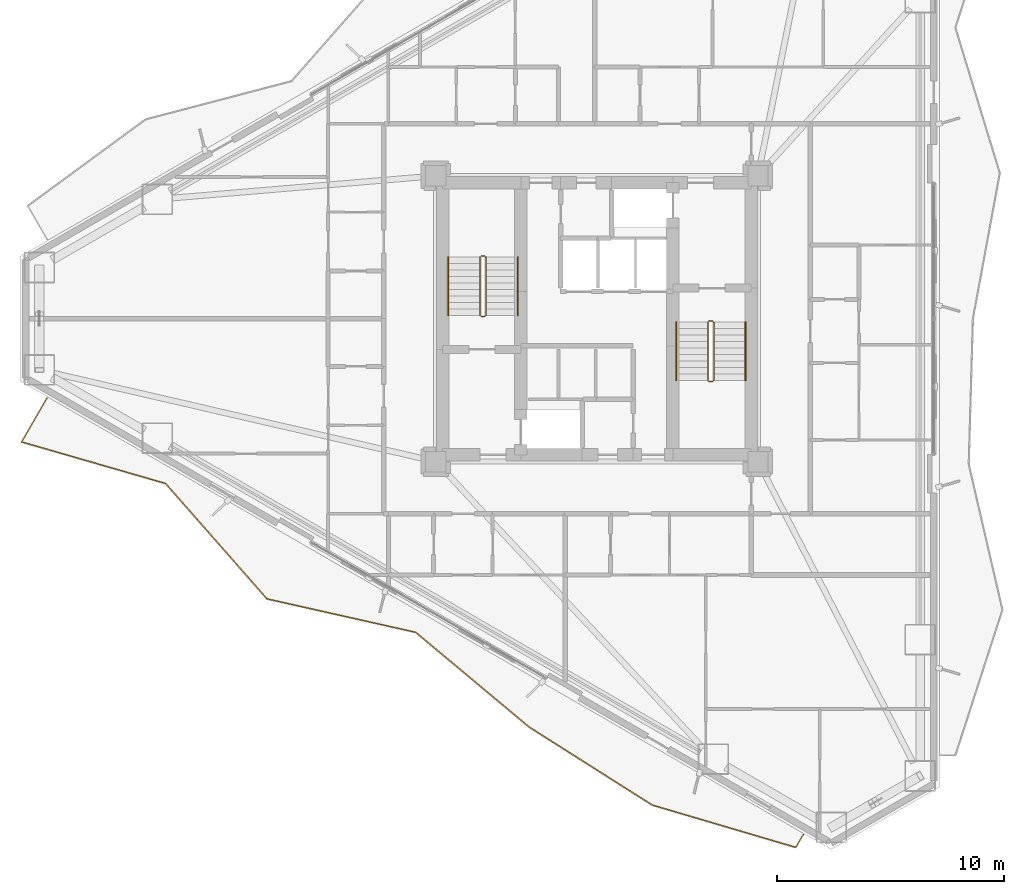
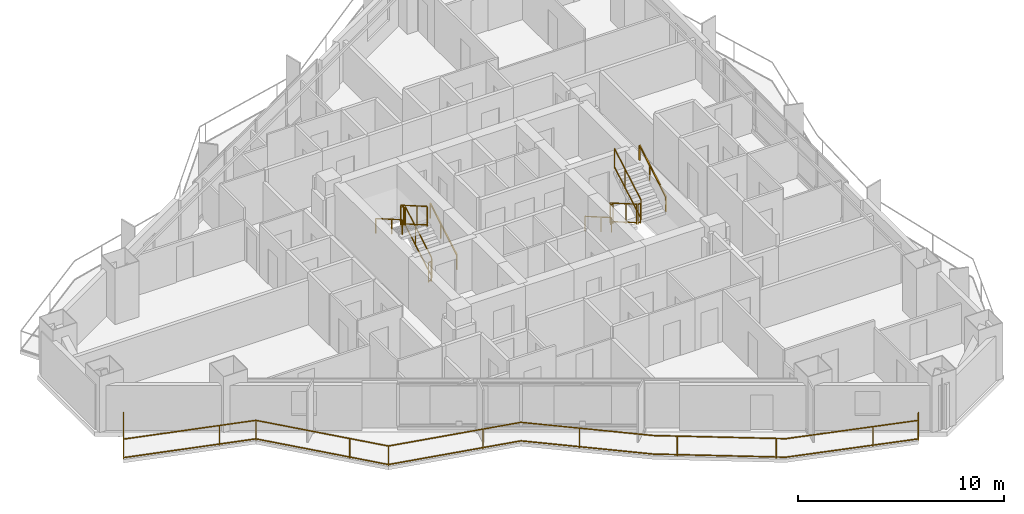
# One storey, part 17 of 18: 13 railings.
"""IFC4 building model written with IfcOpenShell, lengths in metres."""

from ifc_helpers import new_model, si_unit, direction, frame, origin, origin_2d, place, context, subcontext, project, spatial, rectangle, extrude, material, type_object, element, save


model = new_model("IFC4")

# Units and contexts
model_context = context("Model", 3, precision=1e-05, world=origin(), true_north=direction((0.0, 1.0)))
body_context = subcontext(model_context, "Body", "Model", "MODEL_VIEW")
ifc_project = project(units=[si_unit("LENGTHUNIT", "METRE"), si_unit("AREAUNIT", "SQUARE_METRE"), si_unit("VOLUMEUNIT", "CUBIC_METRE"), si_unit("PLANEANGLEUNIT", "RADIAN"), si_unit("MASSUNIT", "GRAM", prefix="KILO")], contexts=[model_context])

# Site, building, storey
site_placement = place(None, origin())
site = spatial("IfcSite", under=ifc_project, at=site_placement, CompositionType="ELEMENT")
building_placement = place(site_placement, origin())
building = spatial("IfcBuilding", under=site, at=building_placement, Name="Mersakhor Tower and Convention Hall", CompositionType="ELEMENT")
storey_placement = place(building_placement, frame((0.0, 0.0, 32.39990234375)))
storey = spatial("IfcBuildingStorey", under=building, at=storey_placement, Name="L08", CompositionType="ELEMENT", Elevation=32.39990234375)

# Railings
ifc_material_1 = material(Name="Powder-coated galvanised steel and laminated glass balustrade", Category="steel")
railing_type_1 = type_object("IfcRailingType", Name="RL-BAL-1200", PredefinedType="BALUSTRADE", material=ifc_material_1)
railing_1_placement = place(storey_placement, frame((4.75048828125, 23.256591796875, 0.0)))
element("IfcRailing", 1, at=railing_1_placement, inside=storey, type_object=railing_type_1, Name="L08 Sinusoidal Balcony Balustrade F3", PredefinedType="BALUSTRADE", context=body_context, shape_type="SweptSolid", body=[
    extrude(rectangle(XDim=0.048095703125, YDim=0.048095703125, at=origin_2d()), frame((0.0, 0.0, 1.17578125), z_axis=(-0.500068617113, -0.865985784051, 0.0), x_axis=(0.865985784051, -0.500068617113, 0.0)), (0.0, 0.0, 1.0), 2.238525390625),
    extrude(rectangle(XDim=0.048095703125, YDim=0.048095703125, at=origin_2d()), frame((0.0, 0.0, 0.080078125), z_axis=(-0.500068617113, -0.865985784051, 0.0), x_axis=(0.865985784051, -0.500068617113, 0.0)), (0.0, 0.0, 1.0), 2.238525390625),
    extrude(rectangle(XDim=0.048095703125, YDim=0.048095703125, at=origin_2d()), frame((-1.119384765625, -1.9384765625, 1.17578125), z_axis=(0.960791815896, -0.27727078192, 0.0), x_axis=(0.27727078192, 0.960791815896, 0.0)), (0.0, 0.0, 1.0), 6.61181640625),
    extrude(rectangle(XDim=0.048095703125, YDim=0.048095703125, at=origin_2d()), frame((-1.119384765625, -1.9384765625, 0.080078125), z_axis=(0.960791815896, -0.27727078192, 0.0), x_axis=(0.27727078192, 0.960791815896, 0.0)), (0.0, 0.0, 1.0), 6.61181640625),
    extrude(rectangle(XDim=0.048095703125, YDim=0.048095703125, at=origin_2d()), frame((5.233154296875, -3.771728515625, 1.17578125), z_axis=(0.6602427576, -0.75105226252, 0.0), x_axis=(0.75105226252, 0.6602427576, 0.0)), (0.0, 0.0, 1.0), 6.77490234375),
    extrude(rectangle(XDim=0.048095703125, YDim=0.048095703125, at=origin_2d()), frame((5.233154296875, -3.771728515625, 0.080078125), z_axis=(0.6602427576, -0.75105226252, 0.0), x_axis=(0.75105226252, 0.6602427576, 0.0)), (0.0, 0.0, 1.0), 6.77490234375),
    extrude(rectangle(XDim=0.048095703125, YDim=0.048095703125, at=origin_2d()), frame((9.706298828125, -8.860107421875, 1.17578125), z_axis=(0.975624141525, -0.219448250102, 0.0), x_axis=(0.219448250102, 0.975624141525, 0.0)), (0.0, 0.0, 1.0), 6.722900390625),
    extrude(rectangle(XDim=0.048095703125, YDim=0.048095703125, at=origin_2d()), frame((9.706298828125, -8.860107421875, 0.080078125), z_axis=(0.975624141525, -0.219448250102, 0.0), x_axis=(0.219448250102, 0.975624141525, 0.0)), (0.0, 0.0, 1.0), 6.722900390625),
    extrude(rectangle(XDim=0.048095703125, YDim=0.048095703125, at=origin_2d()), frame((16.265380859375, -10.33544921875, 1.17578125), z_axis=(0.767514291656, -0.641031833924, 0.0), x_axis=(0.641031833924, 0.767514291656, 0.0)), (0.0, 0.0, 1.0), 6.5146484375),
    extrude(rectangle(XDim=0.048095703125, YDim=0.048095703125, at=origin_2d()), frame((16.265380859375, -10.33544921875, 0.080078125), z_axis=(0.767514291656, -0.641031833924, 0.0), x_axis=(0.641031833924, 0.767514291656, 0.0)), (0.0, 0.0, 1.0), 6.5146484375),
    extrude(rectangle(XDim=0.048095703125, YDim=0.048095703125, at=origin_2d()), frame((21.265380859375, -14.511474609375, 1.17578125), z_axis=(0.844639781229, -0.53533507261, 0.0), x_axis=(0.53533507261, 0.844639781229, 0.0)), (0.0, 0.0, 1.0), 6.423583984375),
    extrude(rectangle(XDim=0.048095703125, YDim=0.048095703125, at=origin_2d()), frame((21.265380859375, -14.511474609375, 0.080078125), z_axis=(0.844639781229, -0.53533507261, 0.0), x_axis=(0.53533507261, 0.844639781229, 0.0)), (0.0, 0.0, 1.0), 6.423583984375),
    extrude(rectangle(XDim=0.048095703125, YDim=0.048095703125, at=origin_2d()), frame((26.69091796875, -17.9501953125, 1.17578125), z_axis=(0.959117222951, -0.283009103456, 0.0), x_axis=(0.283009103456, 0.959117222951, 0.0)), (0.0, 0.0, 1.0), 6.60205078125),
    extrude(rectangle(XDim=0.048095703125, YDim=0.048095703125, at=origin_2d()), frame((26.69091796875, -17.9501953125, 0.080078125), z_axis=(0.959117222951, -0.283009103456, 0.0), x_axis=(0.283009103456, 0.959117222951, 0.0)), (0.0, 0.0, 1.0), 6.60205078125),
    extrude(rectangle(XDim=0.048095703125, YDim=0.048095703125, at=origin_2d()), frame((33.02294921875, -19.818603515625, 1.17578125), z_axis=(0.500165322679, 0.865929933649, 0.0), x_axis=(-0.865929933649, 0.500165322679, 0.0)), (0.0, 0.0, 1.0), 0.652099609375),
    extrude(rectangle(XDim=0.048095703125, YDim=0.048095703125, at=origin_2d()), frame((33.02294921875, -19.818603515625, 0.080078125), z_axis=(0.500165322679, 0.865929933649, 0.0), x_axis=(-0.865929933649, 0.500165322679, 0.0)), (0.0, 0.0, 1.0), 0.652099609375),
    extrude(rectangle(XDim=0.0419921875, YDim=0.0419921875, at=origin_2d()), origin(), (0.0, 0.0, 1.0), 1.15185546875),
    extrude(rectangle(XDim=0.0419921875, YDim=0.0419921875, at=origin_2d()), frame((-1.119384765625, -1.9384765625, 0.0)), (0.0, 0.0, 1.0), 1.15185546875),
    extrude(rectangle(XDim=0.0419921875, YDim=0.0419921875, at=origin_2d()), frame((3.492431640625, -3.269287109375, 0.0)), (0.0, 0.0, 1.0), 1.15185546875),
    extrude(rectangle(XDim=0.0419921875, YDim=0.0419921875, at=origin_2d()), frame((5.233154296875, -3.771728515625, 0.0)), (0.0, 0.0, 1.0), 1.15185546875),
    extrude(rectangle(XDim=0.0419921875, YDim=0.0419921875, at=origin_2d()), frame((8.40234375, -7.376708984375, 0.0)), (0.0, 0.0, 1.0), 1.15185546875),
    extrude(rectangle(XDim=0.0419921875, YDim=0.0419921875, at=origin_2d()), frame((9.706298828125, -8.860107421875, 0.0)), (0.0, 0.0, 1.0), 1.15185546875),
    extrude(rectangle(XDim=0.0419921875, YDim=0.0419921875, at=origin_2d()), frame((14.389404296875, -9.91357421875, 0.0)), (0.0, 0.0, 1.0), 1.15185546875),
    extrude(rectangle(XDim=0.0419921875, YDim=0.0419921875, at=origin_2d()), frame((18.4736328125, -12.1796875, 0.0)), (0.0, 0.0, 1.0), 1.15185546875),
    extrude(rectangle(XDim=0.0419921875, YDim=0.0419921875, at=origin_2d()), frame((22.247314453125, -15.1337890625, 0.0)), (0.0, 0.0, 1.0), 1.15185546875),
    extrude(rectangle(XDim=0.0419921875, YDim=0.0419921875, at=origin_2d()), frame((26.301513671875, -17.703369140625, 0.0)), (0.0, 0.0, 1.0), 1.15185546875),
    extrude(rectangle(XDim=0.0419921875, YDim=0.0419921875, at=origin_2d()), frame((30.8525390625, -19.17822265625, 0.0)), (0.0, 0.0, 1.0), 1.15185546875),
    extrude(rectangle(XDim=0.0419921875, YDim=0.0419921875, at=origin_2d()), frame((33.02294921875, -19.818603515625, 0.0)), (0.0, 0.0, 1.0), 1.15185546875),
    extrude(rectangle(XDim=0.0419921875, YDim=0.0419921875, at=origin_2d()), frame((33.34912109375, -19.25390625, 0.0)), (0.0, 0.0, 1.0), 1.15185546875),
])
ifc_material_2 = material(Name="Brushed stainless steel handrail", Category="steel")
railing_type_2 = type_object("IfcRailingType", Name="RL-HR-900", PredefinedType="HANDRAIL", material=ifc_material_2)
railing_2_placement = place(storey_placement, frame((25.5, 26.89990234375, 0.1650390625)))
element("IfcRailing", 2, at=railing_2_placement, inside=storey, type_object=railing_type_2, Name="L08 ST-1 stair handrail 1", PredefinedType="HANDRAIL", context=body_context, shape_type="SweptSolid", body=[
    extrude(rectangle(XDim=0.048095703125, YDim=0.048095703125, at=origin_2d()), frame((0.0, 0.0, 0.8759765625), z_axis=(0.0, 0.865426285481, 0.501036270542), x_axis=(-1.0, 0.0, 0.0)), (0.0, 0.0, 1.0), 2.964111328125),
    extrude(rectangle(XDim=0.0419921875, YDim=0.0419921875, at=origin_2d()), origin(), (0.0, 0.0, 1.0), 0.851806640625),
    extrude(rectangle(XDim=0.0419921875, YDim=0.0419921875, at=origin_2d()), frame((0.0, 1.557861328125, 0.90185546875)), (0.0, 0.0, 1.0), 0.851806640625),
    extrude(rectangle(XDim=0.0419921875, YDim=0.0419921875, at=origin_2d()), frame((0.0, 2.565185546875, 1.485107421875)), (0.0, 0.0, 1.0), 0.851806640625),
])
railing_3_placement = place(storey_placement, frame((22.449951171875, 29.465087890625, 1.815185546875)))
element("IfcRailing", 3, at=railing_3_placement, inside=storey, type_object=railing_type_2, Name="L08 ST-1 stair handrail 2", PredefinedType="HANDRAIL", context=body_context, shape_type="SweptSolid", body=[
    extrude(rectangle(XDim=0.048095703125, YDim=0.048095703125, at=origin_2d()), frame((0.0, 0.0, 0.8759765625), z_axis=(0.0, -0.865461999751, 0.500974577186), x_axis=(1.0, 0.0, 0.0)), (0.0, 0.0, 1.0), 2.9638671875),
    extrude(rectangle(XDim=0.0419921875, YDim=0.0419921875, at=origin_2d()), origin(), (0.0, 0.0, 1.0), 0.851806640625),
    extrude(rectangle(XDim=0.0419921875, YDim=0.0419921875, at=origin_2d()), frame((0.0, -1.557861328125, 0.90185546875)), (0.0, 0.0, 1.0), 0.851806640625),
    extrude(rectangle(XDim=0.0419921875, YDim=0.0419921875, at=origin_2d()), frame((0.0, -2.565185546875, 1.48486328125)), (0.0, 0.0, 1.0), 0.851806640625),
])
railing_4_placement = place(storey_placement, frame((32.5, 26.60009765625, 0.1650390625)))
element("IfcRailing", 4, at=railing_4_placement, inside=storey, type_object=railing_type_2, Name="L08 ST-2 stair handrail 1", PredefinedType="HANDRAIL", context=body_context, shape_type="SweptSolid", body=[
    extrude(rectangle(XDim=0.048095703125, YDim=0.048095703125, at=origin_2d()), frame((0.0, 0.0, 0.8759765625), z_axis=(0.0, -0.865426285481, 0.501036270542), x_axis=(1.0, 0.0, 0.0)), (0.0, 0.0, 1.0), 2.964111328125),
    extrude(rectangle(XDim=0.0419921875, YDim=0.0419921875, at=origin_2d()), origin(), (0.0, 0.0, 1.0), 0.851806640625),
    extrude(rectangle(XDim=0.0419921875, YDim=0.0419921875, at=origin_2d()), frame((0.0, -1.557861328125, 0.90185546875)), (0.0, 0.0, 1.0), 0.851806640625),
    extrude(rectangle(XDim=0.0419921875, YDim=0.0419921875, at=origin_2d()), frame((0.0, -2.565185546875, 1.485107421875)), (0.0, 0.0, 1.0), 0.851806640625),
])
railing_5_placement = place(storey_placement, frame((35.550048828125, 24.034912109375, 1.815185546875)))
element("IfcRailing", 5, at=railing_5_placement, inside=storey, type_object=railing_type_2, Name="L08 ST-2 stair handrail 2", PredefinedType="HANDRAIL", context=body_context, shape_type="SweptSolid", body=[
    extrude(rectangle(XDim=0.048095703125, YDim=0.048095703125, at=origin_2d()), frame((0.0, 0.0, 0.8759765625), z_axis=(0.0, 0.865461999751, 0.500974577186), x_axis=(-1.0, 0.0, 0.0)), (0.0, 0.0, 1.0), 2.9638671875),
    extrude(rectangle(XDim=0.0419921875, YDim=0.0419921875, at=origin_2d()), origin(), (0.0, 0.0, 1.0), 0.851806640625),
    extrude(rectangle(XDim=0.0419921875, YDim=0.0419921875, at=origin_2d()), frame((0.0, 1.557861328125, 0.90185546875)), (0.0, 0.0, 1.0), 0.851806640625),
    extrude(rectangle(XDim=0.0419921875, YDim=0.0419921875, at=origin_2d()), frame((0.0, 2.565185546875, 1.48486328125)), (0.0, 0.0, 1.0), 0.851806640625),
])
ifc_material_3 = material(Name="Painted steel stair balustrade S355", Category="steel")
railing_type_3 = type_object("IfcRailingType", Name="RL-STG-1200", PredefinedType="BALUSTRADE", material=ifc_material_3)
railing_6_placement = place(storey_placement, frame((24.10009765625, 26.89990234375, 0.1650390625)))
element("IfcRailing", 6, at=railing_6_placement, inside=storey, type_object=railing_type_3, Name="L08 ST-1 stair guard 1", PredefinedType="BALUSTRADE", context=body_context, shape_type="SweptSolid", body=[
    extrude(rectangle(XDim=0.048095703125, YDim=0.048095703125, at=origin_2d()), frame((0.0, 0.0, 1.17578125), z_axis=(0.0, 0.865426285481, 0.501036270542), x_axis=(-1.0, 0.0, 0.0)), (0.0, 0.0, 1.0), 2.964111328125),
    extrude(rectangle(XDim=0.048095703125, YDim=0.048095703125, at=origin_2d()), frame((0.0, 0.0, 0.080078125), z_axis=(0.0, 0.865426285481, 0.501036270542), x_axis=(-1.0, 0.0, 0.0)), (0.0, 0.0, 1.0), 2.964111328125),
    extrude(rectangle(XDim=0.0419921875, YDim=0.0419921875, at=origin_2d()), origin(), (0.0, 0.0, 1.0), 1.15185546875),
    extrude(rectangle(XDim=0.0419921875, YDim=0.0419921875, at=origin_2d()), frame((0.0, 1.557861328125, 0.90185546875)), (0.0, 0.0, 1.0), 1.15185546875),
    extrude(rectangle(XDim=0.0419921875, YDim=0.0419921875, at=origin_2d()), frame((0.0, 2.565185546875, 1.485107421875)), (0.0, 0.0, 1.0), 1.15185546875),
])
railing_7_placement = place(storey_placement, frame((24.050048828125, 29.514892578125, 1.650146484375)))
element("IfcRailing", 7, at=railing_7_placement, inside=storey, type_object=railing_type_3, Name="L08 ST-1 stair guard 2", PredefinedType="BALUSTRADE", context=body_context, shape_type="SweptSolid", body=[
    extrude(rectangle(XDim=0.048095703125, YDim=0.048095703125, at=origin_2d()), frame((0.0, 0.0, 1.17578125), z_axis=(-1.0, 0.0, 0.0), x_axis=(0.0, -1.0, 0.0)), (0.0, 0.0, 1.0), 0.150146484375),
    extrude(rectangle(XDim=0.048095703125, YDim=0.048095703125, at=origin_2d()), frame((0.0, 0.0, 0.080078125), z_axis=(-1.0, 0.0, 0.0), x_axis=(0.0, -1.0, 0.0)), (0.0, 0.0, 1.0), 0.150146484375),
    extrude(rectangle(XDim=0.0419921875, YDim=0.0419921875, at=origin_2d()), origin(), (0.0, 0.0, 1.0), 1.15185546875),
    extrude(rectangle(XDim=0.0419921875, YDim=0.0419921875, at=origin_2d()), frame((-0.150146484375, 0.0, 0.0)), (0.0, 0.0, 1.0), 1.15185546875),
])
railing_8_placement = place(storey_placement, frame((23.85009765625, 29.465087890625, 1.815185546875)))
element("IfcRailing", 8, at=railing_8_placement, inside=storey, type_object=railing_type_3, Name="L08 ST-1 stair guard 3", PredefinedType="BALUSTRADE", context=body_context, shape_type="SweptSolid", body=[
    extrude(rectangle(XDim=0.048095703125, YDim=0.048095703125, at=origin_2d()), frame((0.0, 0.0, 1.17578125), z_axis=(0.0, -0.865461999751, 0.500974577186), x_axis=(1.0, 0.0, 0.0)), (0.0, 0.0, 1.0), 2.9638671875),
    extrude(rectangle(XDim=0.048095703125, YDim=0.048095703125, at=origin_2d()), frame((0.0, 0.0, 0.080078125), z_axis=(0.0, -0.865461999751, 0.500974577186), x_axis=(1.0, 0.0, 0.0)), (0.0, 0.0, 1.0), 2.9638671875),
    extrude(rectangle(XDim=0.0419921875, YDim=0.0419921875, at=origin_2d()), origin(), (0.0, 0.0, 1.0), 1.15185546875),
    extrude(rectangle(XDim=0.0419921875, YDim=0.0419921875, at=origin_2d()), frame((0.0, -1.557861328125, 0.90185546875)), (0.0, 0.0, 1.0), 1.15185546875),
    extrude(rectangle(XDim=0.0419921875, YDim=0.0419921875, at=origin_2d()), frame((0.0, -2.565185546875, 1.48486328125)), (0.0, 0.0, 1.0), 1.15185546875),
])
railing_9_placement = place(storey_placement, frame((24.050048828125, 26.85009765625, 0.0)))
element("IfcRailing", 9, at=railing_9_placement, inside=storey, type_object=railing_type_3, Name="L08 ST-1 stair guard 4", PredefinedType="BALUSTRADE", context=body_context, shape_type="SweptSolid", body=[
    extrude(rectangle(XDim=0.048095703125, YDim=0.048095703125, at=origin_2d()), frame((0.0, 0.0, 1.17578125), z_axis=(-1.0, 0.0, 0.0), x_axis=(0.0, -1.0, 0.0)), (0.0, 0.0, 1.0), 0.150146484375),
    extrude(rectangle(XDim=0.048095703125, YDim=0.048095703125, at=origin_2d()), frame((0.0, 0.0, 0.080078125), z_axis=(-1.0, 0.0, 0.0), x_axis=(0.0, -1.0, 0.0)), (0.0, 0.0, 1.0), 0.150146484375),
    extrude(rectangle(XDim=0.0419921875, YDim=0.0419921875, at=origin_2d()), origin(), (0.0, 0.0, 1.0), 1.15185546875),
    extrude(rectangle(XDim=0.0419921875, YDim=0.0419921875, at=origin_2d()), frame((-0.150146484375, 0.0, 0.0)), (0.0, 0.0, 1.0), 1.15185546875),
])
railing_10_placement = place(storey_placement, frame((33.89990234375, 26.60009765625, 0.1650390625)))
element("IfcRailing", 10, at=railing_10_placement, inside=storey, type_object=railing_type_3, Name="L08 ST-2 stair guard 1", PredefinedType="BALUSTRADE", context=body_context, shape_type="SweptSolid", body=[
    extrude(rectangle(XDim=0.048095703125, YDim=0.048095703125, at=origin_2d()), frame((0.0, 0.0, 1.17578125), z_axis=(0.0, -0.865426285481, 0.501036270542), x_axis=(1.0, 0.0, 0.0)), (0.0, 0.0, 1.0), 2.964111328125),
    extrude(rectangle(XDim=0.048095703125, YDim=0.048095703125, at=origin_2d()), frame((0.0, 0.0, 0.080078125), z_axis=(0.0, -0.865426285481, 0.501036270542), x_axis=(1.0, 0.0, 0.0)), (0.0, 0.0, 1.0), 2.964111328125),
    extrude(rectangle(XDim=0.0419921875, YDim=0.0419921875, at=origin_2d()), origin(), (0.0, 0.0, 1.0), 1.15185546875),
    extrude(rectangle(XDim=0.0419921875, YDim=0.0419921875, at=origin_2d()), frame((0.0, -1.557861328125, 0.90185546875)), (0.0, 0.0, 1.0), 1.15185546875),
    extrude(rectangle(XDim=0.0419921875, YDim=0.0419921875, at=origin_2d()), frame((0.0, -2.565185546875, 1.485107421875)), (0.0, 0.0, 1.0), 1.15185546875),
])
railing_11_placement = place(storey_placement, frame((33.949951171875, 23.985107421875, 1.650146484375)))
element("IfcRailing", 11, at=railing_11_placement, inside=storey, type_object=railing_type_3, Name="L08 ST-2 stair guard 2", PredefinedType="BALUSTRADE", context=body_context, shape_type="SweptSolid", body=[
    extrude(rectangle(XDim=0.048095703125, YDim=0.048095703125, at=origin_2d()), frame((0.0, 0.0, 1.17578125), z_axis=(1.0, 0.0, 0.0), x_axis=(0.0, 1.0, 0.0)), (0.0, 0.0, 1.0), 0.150146484375),
    extrude(rectangle(XDim=0.048095703125, YDim=0.048095703125, at=origin_2d()), frame((0.0, 0.0, 0.080078125), z_axis=(1.0, 0.0, 0.0), x_axis=(0.0, 1.0, 0.0)), (0.0, 0.0, 1.0), 0.150146484375),
    extrude(rectangle(XDim=0.0419921875, YDim=0.0419921875, at=origin_2d()), origin(), (0.0, 0.0, 1.0), 1.15185546875),
    extrude(rectangle(XDim=0.0419921875, YDim=0.0419921875, at=origin_2d()), frame((0.150146484375, 0.0, 0.0)), (0.0, 0.0, 1.0), 1.15185546875),
])
railing_12_placement = place(storey_placement, frame((34.14990234375, 24.034912109375, 1.815185546875)))
element("IfcRailing", 12, at=railing_12_placement, inside=storey, type_object=railing_type_3, Name="L08 ST-2 stair guard 3", PredefinedType="BALUSTRADE", context=body_context, shape_type="SweptSolid", body=[
    extrude(rectangle(XDim=0.048095703125, YDim=0.048095703125, at=origin_2d()), frame((0.0, 0.0, 1.17578125), z_axis=(0.0, 0.865461999751, 0.500974577186), x_axis=(-1.0, 0.0, 0.0)), (0.0, 0.0, 1.0), 2.9638671875),
    extrude(rectangle(XDim=0.048095703125, YDim=0.048095703125, at=origin_2d()), frame((0.0, 0.0, 0.080078125), z_axis=(0.0, 0.865461999751, 0.500974577186), x_axis=(-1.0, 0.0, 0.0)), (0.0, 0.0, 1.0), 2.9638671875),
    extrude(rectangle(XDim=0.0419921875, YDim=0.0419921875, at=origin_2d()), origin(), (0.0, 0.0, 1.0), 1.15185546875),
    extrude(rectangle(XDim=0.0419921875, YDim=0.0419921875, at=origin_2d()), frame((0.0, 1.557861328125, 0.90185546875)), (0.0, 0.0, 1.0), 1.15185546875),
    extrude(rectangle(XDim=0.0419921875, YDim=0.0419921875, at=origin_2d()), frame((0.0, 2.565185546875, 1.48486328125)), (0.0, 0.0, 1.0), 1.15185546875),
])
railing_13_placement = place(storey_placement, frame((33.949951171875, 26.64990234375, 0.0)))
element("IfcRailing", 13, at=railing_13_placement, inside=storey, type_object=railing_type_3, Name="L08 ST-2 stair guard 4", PredefinedType="BALUSTRADE", context=body_context, shape_type="SweptSolid", body=[
    extrude(rectangle(XDim=0.048095703125, YDim=0.048095703125, at=origin_2d()), frame((0.0, 0.0, 1.17578125), z_axis=(1.0, 0.0, 0.0), x_axis=(0.0, 1.0, 0.0)), (0.0, 0.0, 1.0), 0.150146484375),
    extrude(rectangle(XDim=0.048095703125, YDim=0.048095703125, at=origin_2d()), frame((0.0, 0.0, 0.080078125), z_axis=(1.0, 0.0, 0.0), x_axis=(0.0, 1.0, 0.0)), (0.0, 0.0, 1.0), 0.150146484375),
    extrude(rectangle(XDim=0.0419921875, YDim=0.0419921875, at=origin_2d()), origin(), (0.0, 0.0, 1.0), 1.15185546875),
    extrude(rectangle(XDim=0.0419921875, YDim=0.0419921875, at=origin_2d()), frame((0.150146484375, 0.0, 0.0)), (0.0, 0.0, 1.0), 1.15185546875),
])

save(model, "model.ifc")
